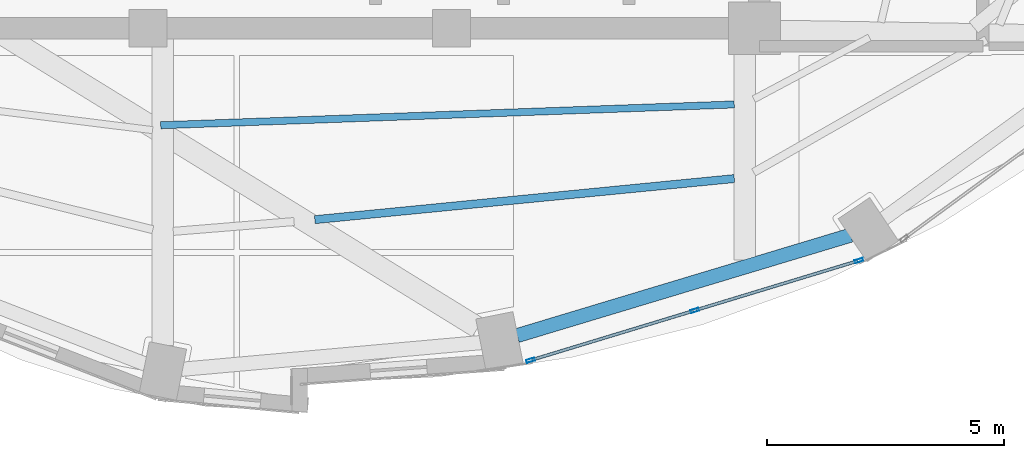
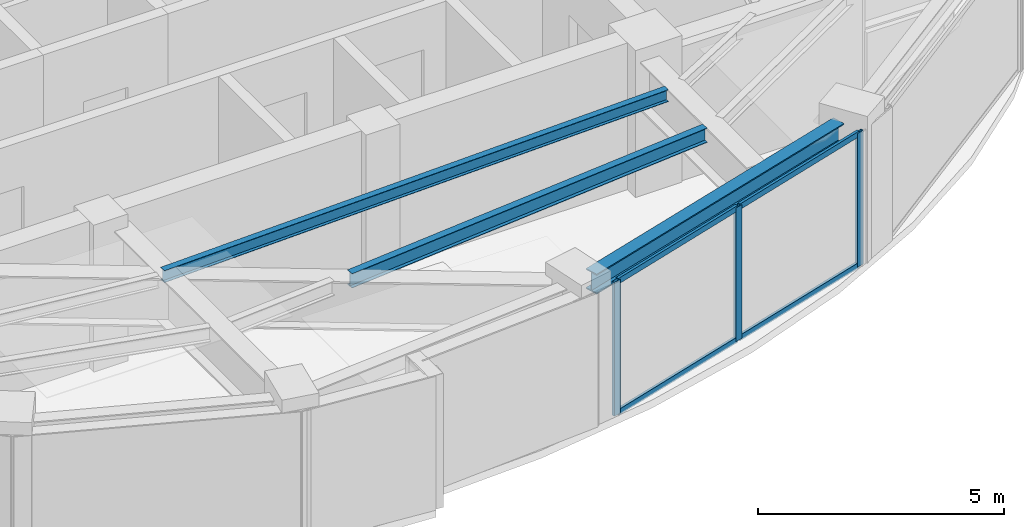
# One storey, part 2 of 13: 7 members, 3 beams, 1 element without a shape of its own.
"""IFC4 building model written with IfcOpenShell, lengths in metres."""

from ifc_helpers import new_model, si_unit, direction, frame, origin, origin_2d, place, context, subcontext, project, spatial, hollow_rectangle, i_section, extrude, material, layer, layer_set, material_profile, profile_set, type_object, element, aggregate, save


model = new_model("IFC4")

# Units and contexts
model_context = context("Model", 3, precision=1e-05, world=origin(), true_north=direction((0.0, 1.0)))
body_context = subcontext(model_context, "Body", "Model", "MODEL_VIEW")
ifc_project = project(units=[si_unit("LENGTHUNIT", "METRE"), si_unit("AREAUNIT", "SQUARE_METRE"), si_unit("VOLUMEUNIT", "CUBIC_METRE"), si_unit("PLANEANGLEUNIT", "RADIAN"), si_unit("MASSUNIT", "GRAM", prefix="KILO")], contexts=[model_context])

# Site, building, storey
site_placement = place(None, origin())
site = spatial("IfcSite", under=ifc_project, at=site_placement, CompositionType="ELEMENT")
building_placement = place(site_placement, origin())
building = spatial("IfcBuilding", under=site, at=building_placement, Name="Lazwardi Medical Tower", CompositionType="ELEMENT")
storey_placement = place(building_placement, frame((0.0, 0.0, 298.800048828125)))
storey = spatial("IfcBuildingStorey", under=building, at=storey_placement, Name="L78", CompositionType="ELEMENT", Elevation=298.800048828125)

# Beams
ifc_material_1 = material(Name="Steel S355", Category="steel")
ifc_material_profile_1 = material_profile(ifc_material_1, i_section(OverallWidth=0.300048828125, OverallDepth=0.5, WebThickness=0.014404296875, FlangeThickness=0.028076171875, at=origin_2d()), Name="HEB 500")
ifc_profile_set_1 = profile_set([ifc_material_profile_1], Name="Steel S355")
beam_type_1 = type_object("IfcBeamType", Name="BM-RB-Z4", PredefinedType="BEAM", material=ifc_profile_set_1)
beam_1_placement = place(storey_placement, frame((40.58740234375, 13.9140625, 3.077880859375), z_axis=(0.957544311906, 0.288286126506, 0.0), x_axis=(-0.288286126506, 0.957544311906, 0.0)))
element("IfcBeam", 1, at=beam_1_placement, inside=storey, type_object=beam_type_1, Name="Ring beam RB-05 B01 L78", PredefinedType="BEAM", context=body_context, shape_type="SweptSolid", body=[
    extrude(i_section(OverallWidth=0.300048828125, OverallDepth=0.5, WebThickness=0.014404296875, FlangeThickness=0.028076171875, at=origin_2d()), origin(), (0.0, 0.0, 1.0), 7.3515625),
])
ifc_material_profile_2 = material_profile(ifc_material_1, i_section(OverallWidth=0.169921875, OverallDepth=0.360107421875, WebThickness=0.008056640625, FlangeThickness=0.0126953125, at=origin_2d()), Name="IPE 360")
ifc_profile_set_2 = profile_set([ifc_material_profile_2], Name="Steel S355")
beam_type_2 = type_object("IfcBeamType", Name="BM-SJ-02", PredefinedType="JOIST", material=ifc_profile_set_2)
beam_2_placement = place(storey_placement, frame((36.318115234375, 16.3603515625, 3.14794921875), z_axis=(0.995235734746, 0.097497857847, 0.0), x_axis=(-0.097497857847, 0.995235734746, 0.0)))
element("IfcBeam", 2, at=beam_2_placement, inside=storey, type_object=beam_type_2, Name="Secondary joist SJ-02 R1 B01 L78", PredefinedType="JOIST", context=body_context, shape_type="SweptSolid", body=[
    extrude(i_section(OverallWidth=0.169921875, OverallDepth=0.360107421875, WebThickness=0.008056640625, FlangeThickness=0.0126953125, at=origin_2d()), origin(), (0.0, 0.0, 1.0), 8.89453125),
])
ifc_material_profile_3 = material_profile(ifc_material_1, i_section(OverallWidth=0.14990234375, OverallDepth=0.300048828125, WebThickness=0.007080078125, FlangeThickness=0.0107421875, at=origin_2d()), Name="IPE 300")
ifc_profile_set_3 = profile_set([ifc_material_profile_3], Name="Steel S355")
beam_type_3 = type_object("IfcBeamType", Name="BM-SJ-03", PredefinedType="JOIST", material=ifc_profile_set_3)
beam_3_placement = place(storey_placement, frame((33.06640625, 18.352294921875, 3.177978515625), z_axis=(0.999342170682, 0.036266043311, 0.0), x_axis=(-0.036266043311, 0.999342170682, 0.0)))
element("IfcBeam", 3, at=beam_3_placement, inside=storey, type_object=beam_type_3, Name="Secondary joist SJ-03 R2 B01 L78", PredefinedType="JOIST", context=body_context, shape_type="SweptSolid", body=[
    extrude(i_section(OverallWidth=0.14990234375, OverallDepth=0.300048828125, WebThickness=0.007080078125, FlangeThickness=0.0107421875, at=origin_2d()), origin(), (0.0, 0.0, 1.0), 12.11083984375),
])

# Curtain wall, members
ifc_material_2 = material(Name="Anodised bronze aluminium and solar control glazing", Category="aluminium")
ifc_layer = layer(ifc_material_2, 0.18994140625)
ifc_layer_set = layer_set([ifc_layer], Name="Anodised bronze aluminium and solar control glazing")
curtain_wall_type = type_object("IfcCurtainWallType", Name="CW-SYS-04", PredefinedType="NOTDEFINED", material=ifc_layer_set)
curtain_wall_placement = place(storey_placement, origin())
curtain_wall = element("IfcCurtainWall", 4, at=curtain_wall_placement, inside=storey, type_object=curtain_wall_type, Name="L78 Unitised bronze curtain wall CW-04", PredefinedType="NOTDEFINED")
ifc_material_3 = material(Name="Anodised bronze aluminium", Category="aluminium")
ifc_material_profile_4 = material_profile(ifc_material_3, hollow_rectangle(XDim=0.06494140625, YDim=0.179931640625, WallThickness=0.00390625, at=origin_2d()), Name="ALU-MULLION 180x65x4")
ifc_profile_set_4 = profile_set([ifc_material_profile_4], Name="Anodised bronze aluminium")
member_type_1 = type_object("IfcMemberType", Name="CW-MUL-03", PredefinedType="MULLION", material=ifc_profile_set_4)
member_1_placement = place(storey_placement, frame((40.873046875, 13.392822265625, 0.0), z_axis=(0.0, 0.0, 1.0), x_axis=(-0.290581889515, 0.956850126972, 0.0)))
member_1 = element("IfcMember", 5, at=member_1_placement, type_object=member_type_1, Name="CW-04 mullion 1", PredefinedType="MULLION", context=body_context, shape_type="SweptSolid", body=[
    extrude(hollow_rectangle(XDim=0.06494140625, YDim=0.179931640625, WallThickness=0.00390625, at=origin_2d()), origin(), (0.0, 0.0, 1.0), 3.327880859375),
])
member_2_placement = place(storey_placement, frame((44.33642578125, 14.444580078125, 0.0), z_axis=(0.0, 0.0, 1.0), x_axis=(-0.290581889515, 0.956850126972, 0.0)))
member_2 = element("IfcMember", 6, at=member_2_placement, type_object=member_type_1, Name="CW-04 mullion 2", PredefinedType="MULLION", context=body_context, shape_type="SweptSolid", body=[
    extrude(hollow_rectangle(XDim=0.06494140625, YDim=0.179931640625, WallThickness=0.00390625, at=origin_2d()), origin(), (0.0, 0.0, 1.0), 3.327880859375),
])
member_3_placement = place(storey_placement, frame((47.7998046875, 15.496337890625, 0.0), z_axis=(0.0, 0.0, 1.0), x_axis=(-0.290581889515, 0.956850126972, 0.0)))
member_3 = element("IfcMember", 7, at=member_3_placement, type_object=member_type_1, Name="CW-04 mullion 3", PredefinedType="MULLION", context=body_context, shape_type="SweptSolid", body=[
    extrude(hollow_rectangle(XDim=0.06494140625, YDim=0.179931640625, WallThickness=0.00390625, at=origin_2d()), origin(), (0.0, 0.0, 1.0), 3.327880859375),
])
ifc_material_profile_5 = material_profile(ifc_material_3, hollow_rectangle(XDim=0.06494140625, YDim=0.139892578125, WallThickness=0.00341796875, at=origin_2d()), Name="ALU-TRANSOM 140x65x3.5")
ifc_profile_set_5 = profile_set([ifc_material_profile_5], Name="Anodised bronze aluminium")
member_type_2 = type_object("IfcMemberType", Name="CW-TRN-03", PredefinedType="USERDEFINED", material=ifc_profile_set_5)
member_4_placement = place(storey_placement, frame((40.904296875, 13.40234375, 0.032470703125), z_axis=(0.956843409009, 0.290604010015, 0.0), x_axis=(-0.290604010015, 0.956843409009, 0.0)))
member_4 = element("IfcMember", 8, at=member_4_placement, type_object=member_type_2, Name="CW-04 transom 1.1", ObjectType="TRANSOM", PredefinedType="USERDEFINED", context=body_context, shape_type="SweptSolid", body=[
    extrude(hollow_rectangle(XDim=0.06494140625, YDim=0.139892578125, WallThickness=0.00341796875, at=origin_2d()), origin(), (0.0, 0.0, 1.0), 3.554443359375),
])
member_5_placement = place(storey_placement, frame((40.904296875, 13.40234375, 3.29541015625), z_axis=(0.956843409009, 0.290604010015, 0.0), x_axis=(-0.290604010015, 0.956843409009, 0.0)))
member_5 = element("IfcMember", 9, at=member_5_placement, type_object=member_type_2, Name="CW-04 transom 1.2", ObjectType="TRANSOM", PredefinedType="USERDEFINED", context=body_context, shape_type="SweptSolid", body=[
    extrude(hollow_rectangle(XDim=0.06494140625, YDim=0.139892578125, WallThickness=0.00341796875, at=origin_2d()), origin(), (0.0, 0.0, 1.0), 3.554443359375),
])
member_6_placement = place(storey_placement, frame((44.367431640625, 14.4541015625, 0.032470703125), z_axis=(0.956843409009, 0.290604010015, 0.0), x_axis=(-0.290604010015, 0.956843409009, 0.0)))
member_6 = element("IfcMember", 10, at=member_6_placement, type_object=member_type_2, Name="CW-04 transom 2.1", ObjectType="TRANSOM", PredefinedType="USERDEFINED", context=body_context, shape_type="SweptSolid", body=[
    extrude(hollow_rectangle(XDim=0.06494140625, YDim=0.139892578125, WallThickness=0.00341796875, at=origin_2d()), origin(), (0.0, 0.0, 1.0), 3.554443359375),
])
member_7_placement = place(storey_placement, frame((44.367431640625, 14.4541015625, 3.29541015625), z_axis=(0.956843409009, 0.290604010015, 0.0), x_axis=(-0.290604010015, 0.956843409009, 0.0)))
member_7 = element("IfcMember", 11, at=member_7_placement, type_object=member_type_2, Name="CW-04 transom 2.2", ObjectType="TRANSOM", PredefinedType="USERDEFINED", context=body_context, shape_type="SweptSolid", body=[
    extrude(hollow_rectangle(XDim=0.06494140625, YDim=0.139892578125, WallThickness=0.00341796875, at=origin_2d()), origin(), (0.0, 0.0, 1.0), 3.554443359375),
])
aggregate(curtain_wall, [member_1, member_2, member_3, member_4, member_5, member_6, member_7])

save(model, "model.ifc")
